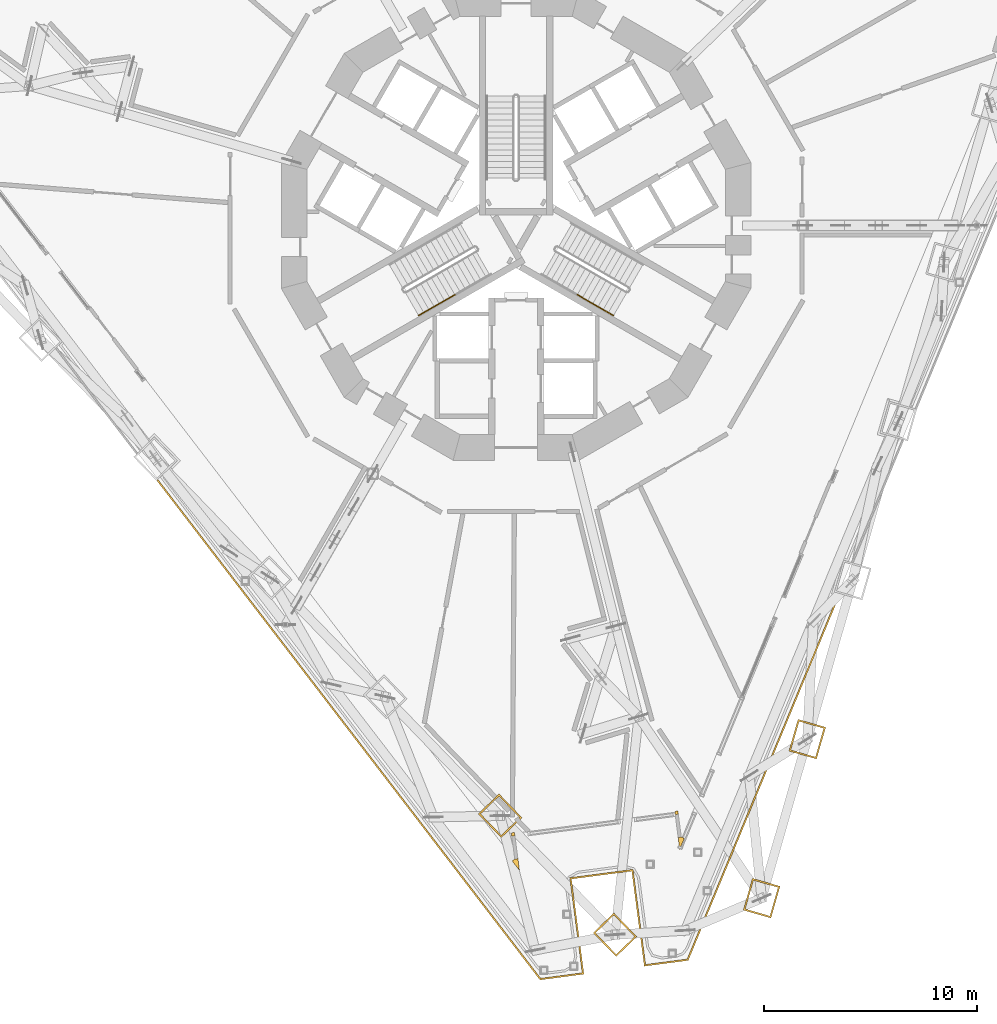
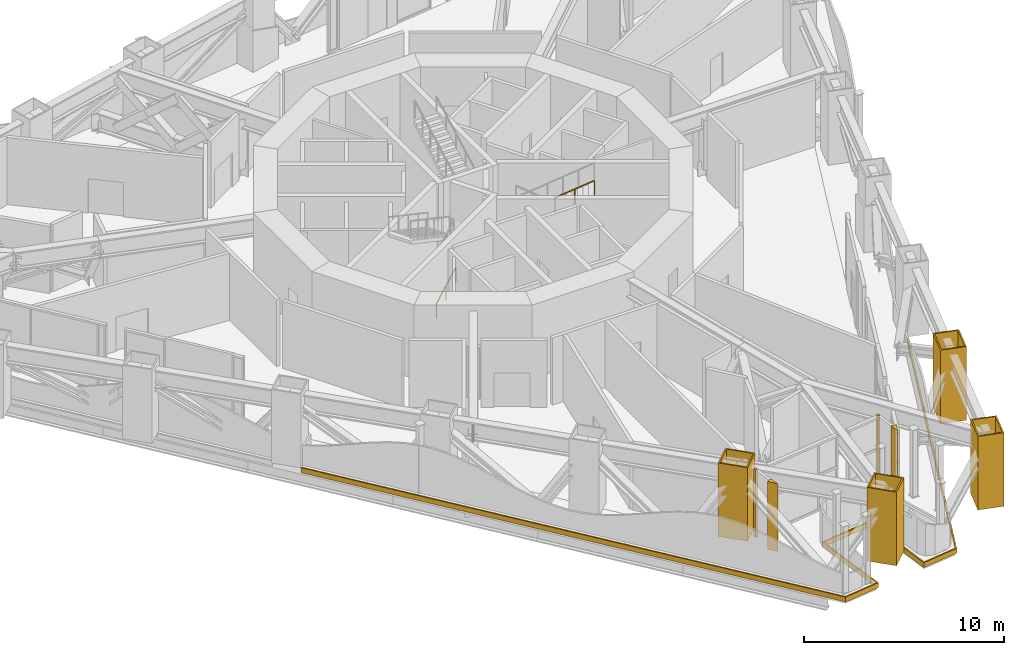
# One storey, part 26 of 31: 9 coverings, 2 railings.
"""IFC4 building model written with IfcOpenShell, lengths in metres."""

from ifc_helpers import new_model, si_unit, direction, frame, origin, origin_2d, place, context, subcontext, project, spatial, polyline, circle, outline, extrude, material, layer, layer_set, type_object, element, save


model = new_model("IFC4")

# Units and contexts
model_context = context("Model", 3, precision=1e-05, world=origin(), true_north=direction((0.0, 1.0)))
body_context = subcontext(model_context, "Body", "Model", "MODEL_VIEW")
ifc_project = project(units=[si_unit("LENGTHUNIT", "METRE"), si_unit("AREAUNIT", "SQUARE_METRE"), si_unit("VOLUMEUNIT", "CUBIC_METRE"), si_unit("PLANEANGLEUNIT", "RADIAN"), si_unit("MASSUNIT", "GRAM", prefix="KILO")], contexts=[model_context])

# Site, building, storey
site_placement = place(None, origin())
site = spatial("IfcSite", under=ifc_project, at=site_placement, CompositionType="ELEMENT")
building_placement = place(site_placement, origin())
building = spatial("IfcBuilding", under=site, at=building_placement, Name="Trine Commons Tower", CompositionType="ELEMENT")
storey_placement = place(building_placement, frame((0.0, 0.0, 82.800048828125)))
storey = spatial("IfcBuildingStorey", under=building, at=storey_placement, Name="L20", CompositionType="ELEMENT", Elevation=82.800048828125)

# Coverings
ifc_material_1 = material(Name="Aluminium-framed insulated wall panel", Category="aluminium")
ifc_layer_1 = layer(ifc_material_1, 0.14990234375)
ifc_layer_set_1 = layer_set([ifc_layer_1], Name="Aluminium-framed insulated wall panel")
covering_type_1 = type_object("IfcCoveringType", Name="Glazing corner post, aluminium", PredefinedType="CLADDING", material=ifc_layer_set_1)
covering_1_placement = place(storey_placement, origin())
element("IfcCovering", 1, at=covering_1_placement, inside=storey, type_object=covering_type_1, Name="Glazing corner post 2-09", PredefinedType="CLADDING", context=body_context, shape_type="SweptSolid", body=[
    extrude(outline(polyline([(87.6015625, 33.79736328125), (87.674560546875, 33.242431640625), (87.888916015625, 33.759521484375), (87.750244140625, 33.81689453125), (87.6015625, 33.79736328125)])), origin(), (0.0, 0.0, 1.0), 4.14990234375),
])
covering_2_placement = place(storey_placement, origin())
element("IfcCovering", 2, at=covering_2_placement, inside=storey, type_object=covering_type_1, Name="Glazing corner post 2-10", PredefinedType="CLADDING", context=body_context, shape_type="SweptSolid", body=[
    extrude(outline(polyline([(87.440185546875, 35.0224609375), (87.459716796875, 34.873779296875), (87.6083984375, 34.893310546875), (87.5888671875, 35.0419921875), (87.440185546875, 35.0224609375)])), origin(), (0.0, 0.0, 1.0), 4.14990234375),
])
covering_3_placement = place(storey_placement, origin())
element("IfcCovering", 3, at=covering_3_placement, inside=storey, type_object=covering_type_1, Name="Glazing corner post 2-11", PredefinedType="CLADDING", context=body_context, shape_type="SweptSolid", body=[
    extrude(outline(polyline([(79.7958984375, 33.864990234375), (79.944580078125, 33.884521484375), (79.925048828125, 34.033203125), (79.7763671875, 34.013671875), (79.7958984375, 33.864990234375)])), origin(), (0.0, 0.0, 1.0), 4.14990234375),
])
covering_4_placement = place(storey_placement, origin())
element("IfcCovering", 4, at=covering_4_placement, inside=storey, type_object=covering_type_1, Name="Glazing corner post 2-12", PredefinedType="CLADDING", context=body_context, shape_type="SweptSolid", body=[
    extrude(outline(polyline([(79.818603515625, 32.697021484375), (80.159423828125, 32.2529296875), (80.086181640625, 32.80810546875), (79.9375, 32.788330078125), (79.818603515625, 32.697021484375)])), origin(), (0.0, 0.0, 1.0), 4.14990234375),
])
ifc_material_2 = material(Name="Limestone, honed", Category="masonry")
ifc_layer_2 = layer(ifc_material_2, 0.074951171875)
ifc_layer_set_2 = layer_set([ifc_layer_2], Name="Limestone, honed")
covering_type_2 = type_object("IfcCoveringType", Name="Limestone column cladding 75", PredefinedType="CLADDING", material=ifc_layer_set_2)
covering_5_placement = place(storey_placement, origin())
element("IfcCovering", 5, at=covering_5_placement, inside=storey, type_object=covering_type_2, Name="Limestone pier cladding 3-01", PredefinedType="CLADDING", context=body_context, shape_type="SweptSolid", body=[
    extrude(outline(polyline([(84.587890625, 30.262451171875), (83.61669921875, 29.32470703125), (84.693603515625, 28.209716796875), (85.66455078125, 29.1474609375), (84.587890625, 30.262451171875)]), holes=[polyline([(84.5859375, 30.15625), (83.722900390625, 29.32275390625), (84.6953125, 28.315673828125), (85.55859375, 29.1494140625), (84.5859375, 30.15625)])]), origin(), (0.0, 0.0, 1.0), 4.5),
])
covering_6_placement = place(storey_placement, origin())
element("IfcCovering", 6, at=covering_6_placement, inside=storey, type_object=covering_type_2, Name="Limestone pier cladding 3-02", PredefinedType="CLADDING", context=body_context, shape_type="SweptSolid", body=[
    extrude(outline(polyline([(79.198974609375, 35.8427734375), (78.227783203125, 34.905029296875), (79.304443359375, 33.7900390625), (80.275634765625, 34.727783203125), (79.198974609375, 35.8427734375)]), holes=[polyline([(79.197021484375, 35.73681640625), (78.333740234375, 34.903076171875), (79.306396484375, 33.89599609375), (80.169677734375, 34.729736328125), (79.197021484375, 35.73681640625)])]), origin(), (0.0, 0.0, 1.0), 4.5),
])
covering_7_placement = place(storey_placement, origin())
element("IfcCovering", 7, at=covering_7_placement, inside=storey, type_object=covering_type_2, Name="Limestone pier cladding 3-23", PredefinedType="CLADDING", context=body_context, shape_type="SweptSolid", body=[
    extrude(outline(polyline([(94.52001953125, 38.967041015625), (93.22216796875, 39.339111328125), (92.794921875, 37.84912109375), (94.092529296875, 37.47705078125), (94.52001953125, 38.967041015625)]), holes=[polyline([(94.427001953125, 38.91552734375), (93.273681640625, 39.246337890625), (92.8876953125, 37.900634765625), (94.041259765625, 37.56982421875), (94.427001953125, 38.91552734375)])]), origin(), (0.0, 0.0, 1.0), 4.5),
])
covering_8_placement = place(storey_placement, origin())
element("IfcCovering", 8, at=covering_8_placement, inside=storey, type_object=covering_type_2, Name="Limestone pier cladding 3-24", PredefinedType="CLADDING", context=body_context, shape_type="SweptSolid", body=[
    extrude(outline(polyline([(92.381591796875, 31.510009765625), (91.083984375, 31.882080078125), (90.656494140625, 30.39208984375), (91.954345703125, 30.02001953125), (92.381591796875, 31.510009765625)]), holes=[polyline([(92.288818359375, 31.45849609375), (91.13525390625, 31.789306640625), (90.74951171875, 30.443603515625), (91.90283203125, 30.11279296875), (92.288818359375, 31.45849609375)])]), origin(), (0.0, 0.0, 1.0), 4.5),
])
ifc_layer_3 = layer(ifc_material_2, 0.074951171875)
ifc_layer_set_3 = layer_set([ifc_layer_3], Name="Limestone, honed")
covering_type_3 = type_object("IfcCoveringType", Name="Limestone spandrel panel 75", PredefinedType="CLADDING", material=ifc_layer_set_3)
covering_9_placement = place(storey_placement, frame((0.0, 0.0, -0.300048828125)))
element("IfcCovering", 9, at=covering_9_placement, inside=storey, type_object=covering_type_3, Name="Limestone spandrel panel 2-02", PredefinedType="CLADDING", context=body_context, shape_type="SweptSolid", body=[
    extrude(outline(polyline([(85.423583984375, 32.220458984375), (86.010986328125, 27.7587890625), (88.07568359375, 28.03076171875), (95.19970703125, 45.229736328125), (95.127197265625, 45.250732421875), (88.02294921875, 28.099365234375), (86.07568359375, 27.843017578125), (85.48828125, 32.304443359375), (82.513916015625, 31.912841796875), (83.101318359375, 27.451416015625), (81.154052734375, 27.195068359375), (63.20068359375, 50.592041015625), (63.146484375, 50.53955078125), (81.120849609375, 27.114990234375), (83.185302734375, 27.386962890625), (82.59814453125, 31.848388671875), (85.423583984375, 32.220458984375)])), origin(), (0.0, 0.0, 1.0), 0.300048828125),
])

# Railings
ifc_material_3 = material(Name="Stainless steel handrail", Category="steel")
railing_type = type_object("IfcRailingType", Name="Stair handrail, steel 900", PredefinedType="HANDRAIL", material=ifc_material_3)
railing_1_placement = place(storey_placement, frame((75.43017578125, 58.27392578125, 0.14990234375)))
element("IfcRailing", 10, at=railing_1_placement, inside=storey, type_object=railing_type, Name="L20 ST2A stair handrail 1", PredefinedType="HANDRAIL", context=body_context, shape_type="SweptSolid", body=[
    extrude(circle(Radius=0.02099609375, at=origin_2d()), frame((0.0, 0.0, 0.87890625), z_axis=(0.763397845365, 0.440713210311, 0.472224095054), x_axis=(-0.499970440388, 0.866042469362, 0.0)), (0.0, 0.0, 1.0), 2.2236328125),
    extrude(circle(Radius=0.01513671875, at=origin_2d()), origin(), (0.0, 0.0, 1.0), 0.85791015625),
    extrude(circle(Radius=0.01513671875, at=origin_2d()), frame((0.8486328125, 0.489990234375, 0.52490234375)), (0.0, 0.0, 1.0), 0.85791015625),
    extrude(circle(Radius=0.01513671875, at=origin_2d()), frame((1.697509765625, 0.97998046875, 1.050048828125)), (0.0, 0.0, 1.0), 0.85791015625),
])
railing_2_placement = place(storey_placement, frame((82.872314453125, 59.25390625, 3.449951171875)))
element("IfcRailing", 11, at=railing_2_placement, inside=storey, type_object=railing_type, Name="L20 ST3A stair handrail 4", PredefinedType="HANDRAIL", context=body_context, shape_type="SweptSolid", body=[
    extrude(circle(Radius=0.02099609375, at=origin_2d()), frame((0.0, 0.0, 0.87890625), z_axis=(0.763397845365, -0.440713210311, 0.472224095054), x_axis=(0.499970440388, 0.866042469362, 0.0)), (0.0, 0.0, 1.0), 2.2236328125),
    extrude(circle(Radius=0.01513671875, at=origin_2d()), origin(), (0.0, 0.0, 1.0), 0.85791015625),
    extrude(circle(Radius=0.01513671875, at=origin_2d()), frame((0.8486328125, -0.489990234375, 0.52490234375)), (0.0, 0.0, 1.0), 0.85791015625),
    extrude(circle(Radius=0.01513671875, at=origin_2d()), frame((1.697509765625, -0.97998046875, 1.050048828125)), (0.0, 0.0, 1.0), 0.85791015625),
])

save(model, "model.ifc")
